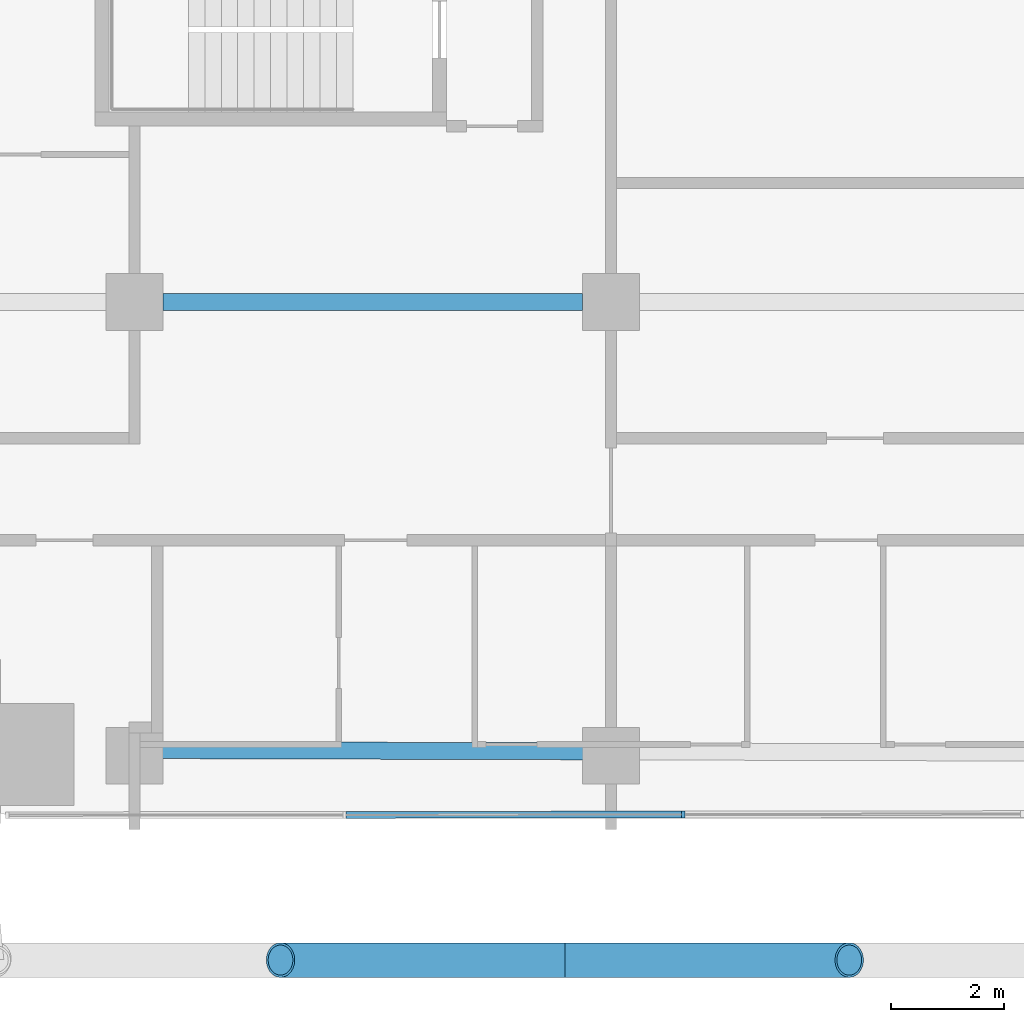
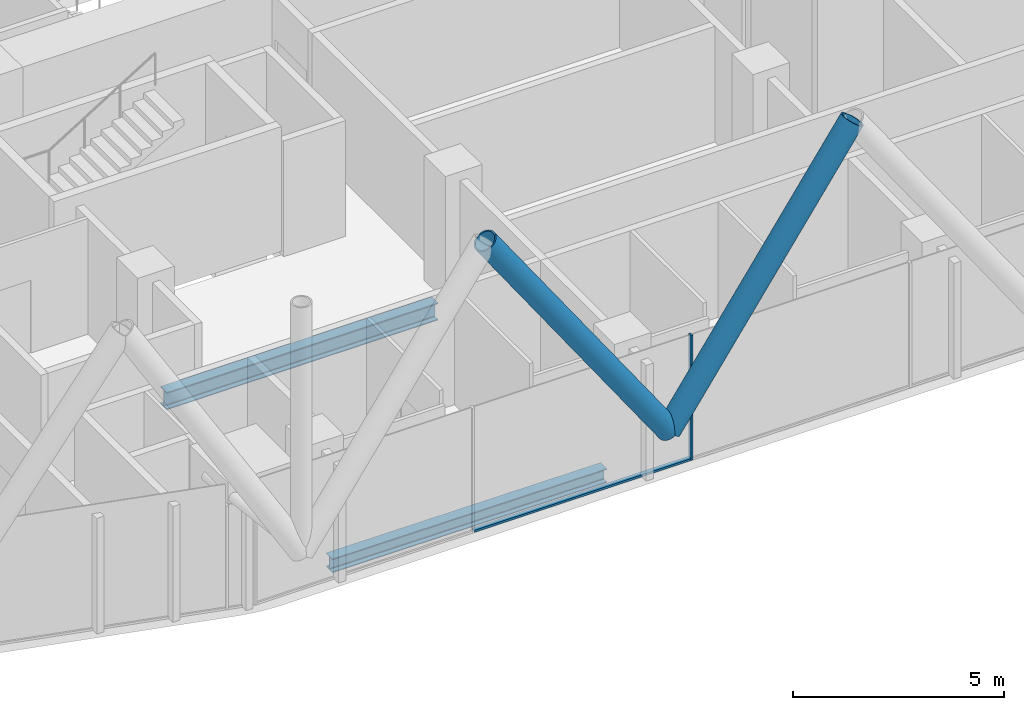
# One storey, part 3 of 34: 4 members, 2 beams, 1 element without a shape of its own.
"""IFC4 building model written with IfcOpenShell, lengths in metres."""

import ifcopenshell
import ifcopenshell.guid

model = None  # the IFC model being written
_history = None  # IfcOwnerHistory: only IFC2X3 demands one
_inside = {}  # id of a spatial element -> (the spatial element, [elements in it])
_under = {}  # id of a project, library or spatial element -> (it, [spatial elements below it])
_declared = {}  # id of a project -> (the project, [libraries it declares])
_typed = {}  # id of a type object -> (the type object, [elements of that type])
_made_of = {}  # id of a material, layer set ... -> (it, [elements and type objects made of it])


def new_model(schema):
    """Start an empty IFC model of exactly this schema.

    Asked for "IFC4X3", IfcOpenShell would pick the latest addendum, in which some entities
    have other attributes; the version numbers below select the first issue.
    IFC2X3 requires an IfcOwnerHistory on every rooted entity: one is made here for all.
    """
    global model, _history
    if schema == "IFC4X3":
        model = ifcopenshell.file(schema_version=(4, 3, 0, 0))
    else:
        model = ifcopenshell.file(schema=schema)
    _inside.clear()
    _under.clear()
    _declared.clear()
    _typed.clear()
    _made_of.clear()
    _history = None
    if model.schema == "IFC2X3":
        org = make("IfcOrganization", Name="unknown")
        user = make(
            "IfcPersonAndOrganization",
            ThePerson=make("IfcPerson", FamilyName="unknown"),
            TheOrganization=org,
        )
        app = make(
            "IfcApplication",
            ApplicationDeveloper=org,
            Version="unknown",
            ApplicationFullName="unknown",
            ApplicationIdentifier="unknown",
        )
        _history = make(
            "IfcOwnerHistory",
            OwningUser=user,
            OwningApplication=app,
            ChangeAction="ADDED",
            CreationDate=0,
        )
    return model


def make(cls, **values):
    """One entity of the class cls with the attributes given. An attribute that is None is left unset."""
    return model.create_entity(
        cls, **{name: value for name, value in values.items() if value is not None}
    )


def rooted(cls, **values):
    """An entity with a GlobalId (a new one), such as an element, a storey or a relation."""
    return make(cls, GlobalId=ifcopenshell.guid.new(), OwnerHistory=_history, **values)


def si_unit(unit_type, name, prefix=None):
    """IfcSIUnit, for example si_unit("LENGTHUNIT", "METRE", prefix="MILLI")."""
    return make("IfcSIUnit", UnitType=unit_type, Prefix=prefix, Name=name)


def assignment(units):
    """IfcUnitAssignment: the units of a project."""
    return None if units is None else make("IfcUnitAssignment", Units=units)


def point(xyz):
    """IfcCartesianPoint."""
    return None if xyz is None else make("IfcCartesianPoint", Coordinates=xyz)


def direction(xyz):
    """IfcDirection."""
    return None if xyz is None else make("IfcDirection", DirectionRatios=xyz)


def frame(location, z_axis=None, x_axis=None):
    """IfcAxis2Placement3D, a coordinate frame: its origin and axes. An axis left out is left unset."""
    return make(
        "IfcAxis2Placement3D",
        Location=point(location),
        Axis=direction(z_axis),
        RefDirection=direction(x_axis),
    )


def frame_2d(location, x_axis=None):
    """IfcAxis2Placement2D, a coordinate frame in the plane: its origin and x axis."""
    return make(
        "IfcAxis2Placement2D", Location=point(location), RefDirection=direction(x_axis)
    )


def origin():
    """The frame at (0, 0, 0) with its axes left unset."""
    return frame((0.0, 0.0, 0.0))


def origin_2d():
    """The frame at (0, 0) in the plane with its x axis left unset."""
    return frame_2d((0.0, 0.0))


def place(relative_to, where):
    """IfcLocalPlacement: puts the frame where relative to a parent placement (None: the world)."""
    return make(
        "IfcLocalPlacement", PlacementRelTo=relative_to, RelativePlacement=where
    )


def context(
    kind, dimensions, precision=None, world=None, true_north=None, identifier=None
):
    """IfcGeometricRepresentationContext, for example the 3D "Model" context."""
    return make(
        "IfcGeometricRepresentationContext",
        ContextIdentifier=identifier,
        ContextType=kind,
        CoordinateSpaceDimension=dimensions,
        Precision=precision,
        WorldCoordinateSystem=world,
        TrueNorth=true_north,
    )


def subcontext(parent, identifier, kind, view, scale=None):
    """IfcGeometricRepresentationSubContext, for example "Body" below "Model"."""
    return make(
        "IfcGeometricRepresentationSubContext",
        ContextIdentifier=identifier,
        ContextType=kind,
        ParentContext=parent,
        TargetScale=scale,
        TargetView=view,
    )


def project(units=None, contexts=None):
    """IfcProject with its units and contexts."""
    return rooted(
        "IfcProject",
        Name="project",
        RepresentationContexts=contexts,
        UnitsInContext=assignment(units),
    )


def spatial(cls, under=None, at=None, **own):
    """A site, building, storey or space (cls), placed at a placement, below another one or the project."""
    s = rooted(cls, ObjectPlacement=at, **own)
    if under is not None:
        _under.setdefault(under.id(), (under, []))[1].append(s)
    return s


def profile(cls, at=None, kind="AREA", **sizes):
    """A parametric profile (cls). Its sizes go by their IFC names, for example OverallWidth=200.0."""
    return make(cls, ProfileType=kind, Position=at, **sizes)


def rectangle(**sizes):
    """IfcRectangleProfileDef."""
    return profile("IfcRectangleProfileDef", **sizes)


def hollow_circle(**sizes):
    """IfcCircleHollowProfileDef."""
    return profile("IfcCircleHollowProfileDef", **sizes)


def i_section(**sizes):
    """IfcIShapeProfileDef."""
    return profile("IfcIShapeProfileDef", **sizes)


def extrude(swept, where, along, depth):
    """IfcExtrudedAreaSolid: the profile swept, set in the frame where, extruded along a direction by depth."""
    return make(
        "IfcExtrudedAreaSolid",
        SweptArea=swept,
        Position=where,
        ExtrudedDirection=direction(along),
        Depth=depth,
    )


def shape(context_of_items, identifier, shape_type, items):
    """IfcShapeRepresentation: the items that make up one representation, for example the "Body"."""
    return make(
        "IfcShapeRepresentation",
        ContextOfItems=context_of_items,
        RepresentationIdentifier=identifier,
        RepresentationType=shape_type,
        Items=items,
    )


def material(Name=None, Category=None):
    """IfcMaterial."""
    return make("IfcMaterial", Name=Name, Category=Category)


def layer(
    of_material, thickness, ventilated=None, Name=None, Category=None, Priority=None
):
    """IfcMaterialLayer: one layer of a wall or slab, of a material (None: an air gap)."""
    return make(
        "IfcMaterialLayer",
        Material=of_material,
        LayerThickness=thickness,
        IsVentilated=ventilated,
        Name=Name,
        Category=Category,
        Priority=Priority,
    )


def layer_set(layers, Name=None):
    """IfcMaterialLayerSet."""
    return make("IfcMaterialLayerSet", MaterialLayers=layers, LayerSetName=Name)


def material_profile(
    of_material, cross_section, Name=None, Category=None, Priority=None
):
    """IfcMaterialProfile: a cross section and its material."""
    return make(
        "IfcMaterialProfile",
        Name=Name,
        Material=of_material,
        Profile=cross_section,
        Priority=Priority,
        Category=Category,
    )


def profile_set(profiles, Name=None, composite=None):
    """IfcMaterialProfileSet."""
    return make(
        "IfcMaterialProfileSet",
        Name=Name,
        MaterialProfiles=profiles,
        CompositeProfile=composite,
    )


def made_of(thing, what):
    """Note that an element or type object is made of a material, layer set ...; save() writes the relation."""
    if what is not None:
        _made_of.setdefault(what.id(), (what, []))[1].append(thing)
    return thing


def type_object(cls, material=None, **own):
    """A type object (cls), such as IfcWallType, which elements share."""
    return made_of(rooted(cls, **own), material)


def element(
    cls,
    number,
    at=None,
    inside=None,
    cuts=None,
    type_object=None,
    material=None,
    context=None,
    identifier="Body",
    shape_type=None,
    held_by="IfcProductDefinitionShape",
    body=None,
    shapes=None,
    **own,
):
    """One element of the class cls, such as IfcWall. Its Tag is "e" and its number.

    at: its placement. inside: the storey or other place that contains it. cuts: it is an
    opening in that element (IfcRelVoidsElement). A single representation is given by context,
    identifier, shape_type and body (its items); several are given by shapes. held_by: the class
    of the entity that holds the representations. save() writes the other relations.
    """
    e = rooted(cls, Tag="e%d" % number, ObjectPlacement=at, **own)
    if body is not None:
        shapes = [shape(context, identifier, shape_type, body)]
    if shapes is not None:
        e.Representation = make(held_by, Representations=shapes)
    if inside is not None:
        _inside.setdefault(inside.id(), (inside, []))[1].append(e)
    if cuts is not None:
        rooted(
            "IfcRelVoidsElement", RelatingBuildingElement=cuts, RelatedOpeningElement=e
        )
    if type_object is not None:
        _typed.setdefault(type_object.id(), (type_object, []))[1].append(e)
    return made_of(e, material)


def aggregate(whole, parts):
    """IfcRelAggregates: a whole, such as a stair, and the parts it consists of."""
    return rooted("IfcRelAggregates", RelatingObject=whole, RelatedObjects=parts)


def save(model, path):
    """Write the relations noted so far, then the file.

    IfcRelAggregates (storeys below a building ...), IfcRelContainedInSpatialStructure (elements
    in a storey), IfcRelDefinesByType, IfcRelAssociatesMaterial and IfcRelDeclares: one each for
    every whole, place, type object, material and project.
    """
    for whole, parts in _under.values():
        aggregate(whole, parts)
    for where, things in _inside.values():
        rooted(
            "IfcRelContainedInSpatialStructure",
            RelatedElements=things,
            RelatingStructure=where,
        )
    for kind, things in _typed.values():
        rooted("IfcRelDefinesByType", RelatedObjects=things, RelatingType=kind)
    for what, things in _made_of.values():
        rooted("IfcRelAssociatesMaterial", RelatedObjects=things, RelatingMaterial=what)
    for by, libraries in _declared.values():
        rooted("IfcRelDeclares", RelatingContext=by, RelatedDefinitions=libraries)
    model.write(path)


model = new_model("IFC4")

# Units and contexts
model_context = context("Model", 3, precision=1e-05, world=origin(), true_north=direction((0.0, 1.0)))
body_context = subcontext(model_context, "Body", "Model", "MODEL_VIEW")
ifc_project = project(units=[si_unit("LENGTHUNIT", "METRE"), si_unit("AREAUNIT", "SQUARE_METRE"), si_unit("VOLUMEUNIT", "CUBIC_METRE"), si_unit("PLANEANGLEUNIT", "RADIAN"), si_unit("MASSUNIT", "GRAM", prefix="KILO")], contexts=[model_context])

# Site, building, storey
site_placement = place(None, origin())
site = spatial("IfcSite", under=ifc_project, at=site_placement, CompositionType="ELEMENT")
building_placement = place(site_placement, origin())
building = spatial("IfcBuilding", under=site, at=building_placement, Name="Marenta Gate Hotel Tower", CompositionType="ELEMENT")
storey_placement = place(building_placement, frame((0.0, 0.0, 47.300048828125)))
storey = spatial("IfcBuildingStorey", under=building, at=storey_placement, Name="L09", CompositionType="ELEMENT", Elevation=47.300048828125)

# Members
ifc_material_1 = material(Name="Steel S355J2W", Category="steel")
ifc_material_profile_1 = material_profile(ifc_material_1, hollow_circle(Radius=0.304931640625, WallThickness=0.0400390625, at=origin_2d()), Name="CHS 610x40")
ifc_profile_set_1 = profile_set([ifc_material_profile_1], Name="Steel S355J2W")
member_type_1 = type_object("IfcMemberType", Name="Diagrid diagonal Z1 CHS 610x40", PredefinedType="BRACE", material=ifc_profile_set_1)
for number, where, z_axis, x_axis, name in (
    (1, (-5.012939453125, -20.0, 3.139892578125), (0.571393025954, 0.0, 0.820676556197), (0.0, 1.0, 0.0), "L09-DG-18"),
    (2, (-5.012939453125, -20.0, 3.139892578125), (-0.571393025954, 0.0, 0.820676556197), (0.0, -1.0, 0.0), "L09-DG-19"),
):
    element("IfcMember", number, at=place(storey_placement, frame(where, z_axis=z_axis, x_axis=x_axis)), inside=storey, type_object=member_type_1, Name=name, PredefinedType="BRACE", context=body_context, shape_type="SweptSolid", body=[
        extrude(hollow_circle(Radius=0.304931640625, WallThickness=0.0400390625, at=origin_2d()), origin(), (0.0, 0.0, 1.0), 8.773193359375),
    ])

# Beams
ifc_material_2 = material(Name="Steel S355", Category="steel")
ifc_material_profile_2 = material_profile(ifc_material_2, i_section(OverallWidth=0.300048828125, OverallDepth=0.39990234375, WebThickness=0.013427734375, FlangeThickness=0.02392578125, FilletRadius=0.027099609375, at=origin_2d()), Name="HEB 400")
ifc_profile_set_2 = profile_set([ifc_material_profile_2], Name="Steel S355")
beam_type_1 = type_object("IfcBeamType", Name="Edge beam HEB 400", PredefinedType="SPANDREL", material=ifc_profile_set_2)
beam_1_placement = place(storey_placement, frame((-4.659912109375, -16.31982421875, -0.4599609375), z_axis=(-0.999996151562, 0.002774321851, 0.0), x_axis=(-0.002774321851, -0.999996151562, 0.0)))
element("IfcBeam", 3, at=beam_1_placement, inside=storey, type_object=beam_type_1, Name="L09-EB-34", PredefinedType="SPANDREL", context=body_context, shape_type="SweptSolid", body=[
    extrude(i_section(OverallWidth=0.300048828125, OverallDepth=0.39990234375, WebThickness=0.013427734375, FlangeThickness=0.02392578125, FilletRadius=0.027099609375, at=origin_2d()), origin(), (0.0, 0.0, 1.0), 7.47998046875),
])
ifc_material_3 = material(Name="Steel S355", Category="steel")
ifc_material_profile_3 = material_profile(ifc_material_3, i_section(OverallWidth=0.300048828125, OverallDepth=0.5, WebThickness=0.014404296875, FlangeThickness=0.028076171875, FilletRadius=0.027099609375, at=origin_2d()), Name="HEB 500")
ifc_profile_set_3 = profile_set([ifc_material_profile_3], Name="Steel S355")
beam_type_2 = type_object("IfcBeamType", Name="Girder HEB 500", PredefinedType="BEAM", material=ifc_profile_set_3)
beam_2_placement = place(storey_placement, frame((-12.10009765625, -8.39990234375, -0.510009765625), z_axis=(1.0, 0.0, 0.0), x_axis=(0.0, 1.0, 0.0)))
element("IfcBeam", 4, at=beam_2_placement, inside=storey, type_object=beam_type_2, Name="L09-GD-3", PredefinedType="BEAM", context=body_context, shape_type="SweptSolid", body=[
    extrude(i_section(OverallWidth=0.300048828125, OverallDepth=0.5, WebThickness=0.014404296875, FlangeThickness=0.028076171875, FilletRadius=0.027099609375, at=origin_2d()), origin(), (0.0, 0.0, 1.0), 7.400146484375),
])

# Curtain wall, members
ifc_material_4 = material(Name="Tinted insulated glass in bronze anodised frame", Category="glass")
ifc_layer = layer(ifc_material_4, 0.1201171875)
ifc_layer_set = layer_set([ifc_layer], Name="Tinted insulated glass in bronze anodised frame")
curtain_wall_type = type_object("IfcCurtainWallType", Name="Tower unitised curtain wall CW1", PredefinedType="NOTDEFINED", material=ifc_layer_set)
curtain_wall_placement = place(storey_placement, origin())
curtain_wall = element("IfcCurtainWall", 5, at=curtain_wall_placement, inside=storey, type_object=curtain_wall_type, Name="CW1 run G11", PredefinedType="NOTDEFINED")
ifc_material_5 = material(Name="Bronze anodised aluminium", Category="aluminium")
ifc_material_profile_4 = material_profile(ifc_material_5, rectangle(XDim=0.1201171875, YDim=0.06005859375, at=origin_2d()), Name="Mullion CW1 60x120 bronze anodised aluminium")
ifc_profile_set_4 = profile_set([ifc_material_profile_4], Name="Bronze anodised aluminium")
member_type_2 = type_object("IfcMemberType", Name="Mullion CW1 60x120 bronze anodised aluminium", PredefinedType="MULLION", material=ifc_profile_set_4)
member_1_placement = place(storey_placement, frame((-2.9248046875, -17.433837890625, 0.0), z_axis=(0.0, 0.0, 1.0), x_axis=(-0.001161921639, 0.999999324969, 0.0)))
member_1 = element("IfcMember", 6, at=member_1_placement, type_object=member_type_2, Name="CW1 mullion 3", PredefinedType="MULLION", context=body_context, shape_type="SweptSolid", body=[
    extrude(rectangle(XDim=0.1201171875, YDim=0.06005859375, at=origin_2d()), origin(), (0.0, 0.0, 1.0), 3.599853515625),
])
ifc_material_6 = material(Name="Bronze anodised aluminium", Category="aluminium")
ifc_material_profile_5 = material_profile(ifc_material_6, rectangle(XDim=0.1201171875, YDim=0.06005859375, at=origin_2d()), Name="Transom CW1 60x120 bronze anodised aluminium")
ifc_profile_set_5 = profile_set([ifc_material_profile_5], Name="Bronze anodised aluminium")
member_type_3 = type_object("IfcMemberType", Name="Transom CW1 60x120 bronze anodised aluminium", PredefinedType="USERDEFINED", material=ifc_profile_set_5)
member_2_placement = place(storey_placement, frame((-8.86767578125, -17.44091796875, 0.030029296875), z_axis=(0.999999283109, 0.001197406136, 0.0), x_axis=(-0.001197406136, 0.999999283109, 0.0)))
member_2 = element("IfcMember", 7, at=member_2_placement, type_object=member_type_3, Name="CW1 transom 2.1", ObjectType="TRANSOM", PredefinedType="USERDEFINED", context=body_context, shape_type="SweptSolid", body=[
    extrude(rectangle(XDim=0.1201171875, YDim=0.06005859375, at=origin_2d()), origin(), (0.0, 0.0, 1.0), 5.912841796875),
])
aggregate(curtain_wall, [member_1, member_2])

save(model, "model.ifc")
